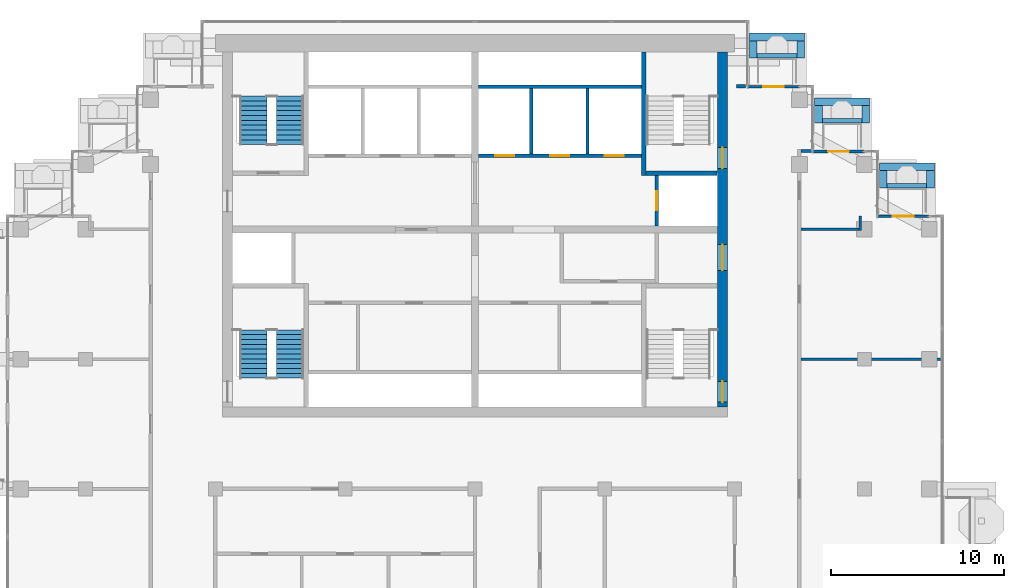
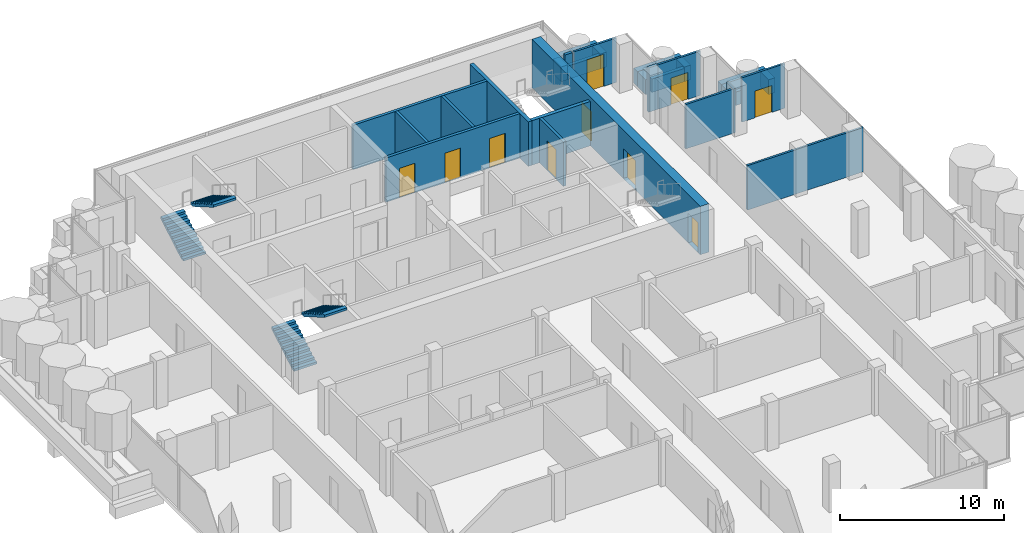
# One storey, part 14 of 18: 28 walls, 10 doors, 4 stair flights, 10 openings, 2 elements without a shape of their own.
"""IFC4 building model written with IfcOpenShell, lengths in metres."""

from ifc_helpers import new_model, si_unit, direction, frame, frame_2d, origin, place, context, subcontext, project, spatial, polyline, rectangle, outline, extrude, material, layer, layer_set, type_object, element, fill, aggregate, save


model = new_model("IFC4")

# Units and contexts
model_context = context("Model", 3, precision=1e-05, world=origin(), true_north=direction((0.0, 1.0)))
body_context = subcontext(model_context, "Body", "Model", "MODEL_VIEW")
ifc_project = project(units=[si_unit("LENGTHUNIT", "METRE"), si_unit("AREAUNIT", "SQUARE_METRE"), si_unit("VOLUMEUNIT", "CUBIC_METRE"), si_unit("PLANEANGLEUNIT", "RADIAN"), si_unit("MASSUNIT", "GRAM", prefix="KILO")], contexts=[model_context])

# Site, building, storey
site_placement = place(None, origin())
site = spatial("IfcSite", under=ifc_project, at=site_placement, CompositionType="ELEMENT")
building_placement = place(site_placement, origin())
building = spatial("IfcBuilding", under=site, at=building_placement, Name="Pilkhan Gate Tower", CompositionType="ELEMENT")
storey_placement = place(building_placement, frame((0.0, 0.0, 235.5)))
storey = spatial("IfcBuildingStorey", under=building, at=storey_placement, Name="L61", CompositionType="ELEMENT", Elevation=235.5)

# Walls
ifc_material_1 = material(Name="Concrete C40/50", Category="concrete")
ifc_layer_1 = layer(ifc_material_1, 0.25)
ifc_layer_set_1 = layer_set([ifc_layer_1], Name="Balcony planter BP250")
wall_type_1 = type_object("IfcWallType", Name="Balcony planter BP250", PredefinedType="USERDEFINED", material=ifc_layer_set_1)
wall_1_placement = place(storey_placement, frame((91.300048828125, 92.52490234375, 0.0), z_axis=(0.0, 0.0, 1.0), x_axis=(1.0, 0.0, 0.0)))
element("IfcWall", 1, at=wall_1_placement, inside=storey, type_object=wall_type_1, Name="Balcony planter L61 N", ObjectType="BALCONY PLANTER", PredefinedType="USERDEFINED", context=body_context, shape_type="SweptSolid", body=[
    extrude(rectangle(XDim=2.300048828125, YDim=0.25, at=frame_2d((1.14990234375, 0.0))), origin(), (0.0, 0.0, 1.0), 1.0),
])
for number, where, z_axis, x_axis, name in (
    (2, (95.070068359375, 88.77490234375, 0.0), (0.0, 0.0, 1.0), (1.0, 0.0, 0.0), "Balcony planter L61 N"),
    (3, (98.820068359375, 85.02490234375, 0.0), (0.0, 0.0, 1.0), (1.0, 0.0, 0.0), "Balcony planter L61 N"),
):
    element("IfcWall", number, at=place(storey_placement, frame(where, z_axis=z_axis, x_axis=x_axis)), inside=storey, type_object=wall_type_1, Name=name, ObjectType="BALCONY PLANTER", PredefinedType="USERDEFINED", context=body_context, shape_type="SweptSolid", body=[
        extrude(rectangle(XDim=2.280029296875, YDim=0.25, at=frame_2d((1.14013671875, 0.0))), origin(), (0.0, 0.0, 1.0), 1.0),
    ])
ifc_material_2 = material(Name="Board-marked Concrete C40/50", Category="concrete")
ifc_layer_2 = layer(ifc_material_2, 0.449951171875)
ifc_layer_set_2 = layer_set([ifc_layer_2], Name="Balcony planter lip BL450")
wall_type_2 = type_object("IfcWallType", Name="Balcony planter lip BL450", PredefinedType="USERDEFINED", material=ifc_layer_set_2)
wall_2_placement = place(storey_placement, frame((90.85009765625, 93.625, 0.0), z_axis=(0.0, 0.0, 1.0), x_axis=(1.0, 0.0, 0.0)))
element("IfcWall", 4, at=wall_2_placement, inside=storey, type_object=wall_type_2, Name="Balcony planter L61 N", ObjectType="BALCONY PLANTER", PredefinedType="USERDEFINED", context=body_context, shape_type="SweptSolid", body=[
    extrude(rectangle(XDim=3.199951171875, YDim=0.449951171875, at=frame_2d((1.60009765625, 0.0))), origin(), (0.0, 0.0, 1.0), 1.10009765625),
])
for number, where, z_axis, x_axis, name in (
    (5, (91.074951171875, 92.39990234375, 0.0), (0.0, 0.0, 1.0), (0.0, 1.0, 0.0), "Balcony planter L61 N"),
    (6, (93.824951171875, 92.39990234375, 0.0), (0.0, 0.0, 1.0), (0.0, 1.0, 0.0), "Balcony planter L61 N"),
):
    element("IfcWall", number, at=place(storey_placement, frame(where, z_axis=z_axis, x_axis=x_axis)), inside=storey, type_object=wall_type_2, Name=name, ObjectType="BALCONY PLANTER", PredefinedType="USERDEFINED", context=body_context, shape_type="SweptSolid", body=[
        extrude(rectangle(XDim=1.0, YDim=0.449951171875, at=frame_2d((0.5, 0.0))), origin(), (0.0, 0.0, 1.0), 1.10009765625),
    ])
wall_3_placement = place(storey_placement, frame((94.6201171875, 89.875, 0.0), z_axis=(0.0, 0.0, 1.0), x_axis=(1.0, 0.0, 0.0)))
element("IfcWall", 7, at=wall_3_placement, inside=storey, type_object=wall_type_2, Name="Balcony planter L61 N", ObjectType="BALCONY PLANTER", PredefinedType="USERDEFINED", context=body_context, shape_type="SweptSolid", body=[
    extrude(rectangle(XDim=3.179931640625, YDim=0.449951171875, at=frame_2d((1.58984375, 0.0))), origin(), (0.0, 0.0, 1.0), 1.10009765625),
])
for number, where, z_axis, x_axis, name in (
    (8, (94.844970703125, 88.64990234375, 0.0), (0.0, 0.0, 1.0), (0.0, 1.0, 0.0), "Balcony planter L61 N"),
    (9, (97.574951171875, 88.64990234375, 0.0), (0.0, 0.0, 1.0), (0.0, 1.0, 0.0), "Balcony planter L61 N"),
):
    element("IfcWall", number, at=place(storey_placement, frame(where, z_axis=z_axis, x_axis=x_axis)), inside=storey, type_object=wall_type_2, Name=name, ObjectType="BALCONY PLANTER", PredefinedType="USERDEFINED", context=body_context, shape_type="SweptSolid", body=[
        extrude(rectangle(XDim=1.0, YDim=0.449951171875, at=frame_2d((0.5, 0.0))), origin(), (0.0, 0.0, 1.0), 1.10009765625),
    ])
wall_4_placement = place(storey_placement, frame((98.3701171875, 86.125, 0.0), z_axis=(0.0, 0.0, 1.0), x_axis=(1.0, 0.0, 0.0)))
element("IfcWall", 10, at=wall_4_placement, inside=storey, type_object=wall_type_2, Name="Balcony planter L61 N", ObjectType="BALCONY PLANTER", PredefinedType="USERDEFINED", context=body_context, shape_type="SweptSolid", body=[
    extrude(rectangle(XDim=3.179931640625, YDim=0.449951171875, at=frame_2d((1.58984375, 0.0))), origin(), (0.0, 0.0, 1.0), 1.10009765625),
])
for number, where, z_axis, x_axis, name in (
    (11, (98.594970703125, 84.89990234375, 0.0), (0.0, 0.0, 1.0), (0.0, 1.0, 0.0), "Balcony planter L61 N"),
    (12, (101.324951171875, 84.89990234375, 0.0), (0.0, 0.0, 1.0), (0.0, 1.0, 0.0), "Balcony planter L61 N"),
):
    element("IfcWall", number, at=place(storey_placement, frame(where, z_axis=z_axis, x_axis=x_axis)), inside=storey, type_object=wall_type_2, Name=name, ObjectType="BALCONY PLANTER", PredefinedType="USERDEFINED", context=body_context, shape_type="SweptSolid", body=[
        extrude(rectangle(XDim=1.0, YDim=0.449951171875, at=frame_2d((0.5, 0.0))), origin(), (0.0, 0.0, 1.0), 1.10009765625),
    ])

# Wall, openings, doors
ifc_material_3 = material(Name="Concrete C50/60", Category="concrete")
ifc_layer_3 = layer(ifc_material_3, 0.60009765625)
ifc_layer_set_3 = layer_set([ifc_layer_3], Name="Core wall CW600 C50/60")
wall_type_3 = type_object("IfcWallType", Name="Core wall CW600 C50/60", PredefinedType="SHEAR", material=ifc_layer_set_3)
wall_5_placement = place(storey_placement, frame((89.300048828125, 72.25, 0.0), z_axis=(0.0, 0.0, 1.0), x_axis=(0.0, 1.0, 0.0)))
wall_5 = element("IfcWall", 13, at=wall_5_placement, inside=storey, type_object=wall_type_3, Name="Core wall E L61", PredefinedType="SHEAR", context=body_context, shape_type="SweptSolid", body=[
    extrude(rectangle(XDim=20.5, YDim=0.60009765625, at=frame_2d((10.25, 0.0))), origin(), (0.0, 0.0, 1.0), 3.60009765625),
])
opening_1_placement = place(wall_5_placement, frame((0.27490234375, 0.0, 0.0)))
opening_1 = element("IfcOpeningElement", 14, at=opening_1_placement, cuts=wall_5, Name="Opening L61-03", PredefinedType="OPENING", context=body_context, shape_type="SweptSolid", body=[
    extrude(rectangle(XDim=1.199951171875, YDim=2.199951171875, at=frame_2d((0.60009765625, 1.10009765625))), frame((0.0, 0.31005859375, 0.0), z_axis=(0.0, -1.0, 0.0), x_axis=(1.0, 0.0, 0.0)), (0.0, 0.0, 1.0), 0.6201171875),
])
opening_2_placement = place(wall_5_placement, frame((13.77490234375, 0.0, 0.0)))
opening_2 = element("IfcOpeningElement", 15, at=opening_2_placement, cuts=wall_5, Name="Opening L61-05", PredefinedType="OPENING", context=body_context, shape_type="SweptSolid", body=[
    extrude(rectangle(XDim=1.199951171875, YDim=2.199951171875, at=frame_2d((0.60009765625, 1.10009765625))), frame((0.0, 0.31005859375, 0.0), z_axis=(0.0, -1.0, 0.0), x_axis=(1.0, 0.0, 0.0)), (0.0, 0.0, 1.0), 0.6201171875),
])
opening_3_placement = place(wall_5_placement, frame((7.875, 0.0, 0.0)))
opening_3 = element("IfcOpeningElement", 16, at=opening_3_placement, cuts=wall_5, Name="Opening L61-06", PredefinedType="OPENING", context=body_context, shape_type="SweptSolid", body=[
    extrude(rectangle(XDim=1.5, YDim=2.199951171875, at=frame_2d((0.75, 1.10009765625))), frame((0.0, 0.31005859375, 0.0), z_axis=(0.0, -1.0, 0.0), x_axis=(1.0, 0.0, 0.0)), (0.0, 0.0, 1.0), 0.6201171875),
])
ifc_material_4 = material(Name="Steel framed glazed door, 60 minute fire resisting", Category="steel")
door_type_1 = type_object("IfcDoorType", Name="Lobby door D09 1500x2200", OperationType="DOUBLE_DOOR_SINGLE_SWING", PredefinedType="DOOR", material=ifc_material_4)
door_1_placement = place(opening_3_placement, origin())
door_1 = element("IfcDoor", 17, at=door_1_placement, inside=storey, type_object=door_type_1, Name="Core door", OperationType="DOUBLE_DOOR_SINGLE_SWING", OverallHeight=2.199951171875, OverallWidth=1.5, PredefinedType="DOOR", context=body_context, shape_type="SweptSolid", body=[
    extrude(rectangle(XDim=1.5, YDim=2.199951171875, at=frame_2d((0.75, 1.10009765625))), frame((0.0, 0.02490234375, 0.0), z_axis=(0.0, -1.0, 0.0), x_axis=(1.0, 0.0, 0.0)), (0.0, 0.0, 1.0), 0.050048828125),
])
fill(opening_3, door_1)
ifc_material_5 = material(Name="Steel door, 120 minute fire resisting, panic bar", Category="steel")
door_type_2 = type_object("IfcDoorType", Name="Stair door D11 1200x2200", OperationType="SINGLE_SWING_LEFT", PredefinedType="DOOR", material=ifc_material_5)
door_2_placement = place(opening_1_placement, origin())
door_2 = element("IfcDoor", 18, at=door_2_placement, inside=storey, type_object=door_type_2, Name="Stair ST1 door", OperationType="SINGLE_SWING_LEFT", OverallHeight=2.199951171875, OverallWidth=1.199951171875, PredefinedType="DOOR", context=body_context, shape_type="SweptSolid", body=[
    extrude(rectangle(XDim=1.199951171875, YDim=2.199951171875, at=frame_2d((0.60009765625, 1.10009765625))), frame((0.0, 0.02490234375, 0.0), z_axis=(0.0, -1.0, 0.0), x_axis=(1.0, 0.0, 0.0)), (0.0, 0.0, 1.0), 0.050048828125),
])
fill(opening_1, door_2)
door_3_placement = place(opening_2_placement, origin())
door_3 = element("IfcDoor", 19, at=door_3_placement, inside=storey, type_object=door_type_2, Name="Stair ST4 door", OperationType="SINGLE_SWING_LEFT", OverallHeight=2.199951171875, OverallWidth=1.199951171875, PredefinedType="DOOR", context=body_context, shape_type="SweptSolid", body=[
    extrude(rectangle(XDim=1.199951171875, YDim=2.199951171875, at=frame_2d((0.60009765625, 1.10009765625))), frame((0.0, 0.02490234375, 0.0), z_axis=(0.0, -1.0, 0.0), x_axis=(1.0, 0.0, 0.0)), (0.0, 0.0, 1.0), 0.050048828125),
])
fill(opening_2, door_3)

# Walls
ifc_material_6 = material(Name="Dense blockwork", Category="masonry")
ifc_layer_4 = layer(ifc_material_6, 0.199951171875)
ifc_layer_set_4 = layer_set([ifc_layer_4], Name="Corridor wall FW200")
wall_type_4 = type_object("IfcWallType", Name="Corridor wall FW200", PredefinedType="PARTITIONING", material=ifc_layer_set_4)
wall_6_placement = place(storey_placement, frame((93.85009765625, 87.030029296875, 0.0), z_axis=(0.0, 0.0, 1.0), x_axis=(1.0, 0.0, 0.0)))
element("IfcWall", 20, at=wall_6_placement, inside=storey, type_object=wall_type_4, Name="Partition L61", PredefinedType="PARTITIONING", context=body_context, shape_type="SweptSolid", body=[
    extrude(rectangle(XDim=0.639892578125, YDim=0.199951171875, at=frame_2d((0.31982421875, 0.0))), origin(), (0.0, 0.0, 1.0), 3.300048828125),
])
wall_7_placement = place(storey_placement, frame((90.1201171875, 90.764892578125, 0.0), z_axis=(0.0, 0.0, 1.0), x_axis=(1.0, 0.0, 0.0)))
element("IfcWall", 21, at=wall_7_placement, inside=storey, type_object=wall_type_4, Name="Partition L61", PredefinedType="PARTITIONING", context=body_context, shape_type="SweptSolid", body=[
    extrude(rectangle(XDim=0.52490234375, YDim=0.199951171875, at=frame_2d((0.262451171875, 0.0))), origin(), (0.0, 0.0, 1.0), 3.300048828125),
])

# Wall, opening, door
ifc_material_7 = material(Name="Pale anodised aluminium, clear laminated glazing", Category="aluminium")
ifc_layer_5 = layer(ifc_material_7, 0.14990234375)
ifc_layer_set_5 = layer_set([ifc_layer_5], Name="Facade infill wall IW150")
wall_type_5 = type_object("IfcWallType", Name="Facade infill wall IW150", PredefinedType="SOLIDWALL", material=ifc_layer_set_5)
wall_8_placement = place(storey_placement, frame((98.25, 83.25, 0.0), z_axis=(0.0, 0.0, 1.0), x_axis=(1.0, 0.0, 0.0)))
wall_8 = element("IfcWall", 22, at=wall_8_placement, inside=storey, type_object=wall_type_5, Name="Infill wall L61 N", PredefinedType="SOLIDWALL", context=body_context, shape_type="SweptSolid", body=[
    extrude(rectangle(XDim=3.0, YDim=0.14990234375, at=frame_2d((1.5, 0.0))), origin(), (0.0, 0.0, 1.0), 3.300048828125),
])
opening_4_placement = place(wall_8_placement, frame((0.89990234375, 0.0, 0.0)))
opening_4 = element("IfcOpeningElement", 23, at=opening_4_placement, cuts=wall_8, Name="Opening D1L", PredefinedType="OPENING", context=body_context, shape_type="SweptSolid", body=[
    extrude(rectangle(XDim=1.199951171875, YDim=2.0, at=frame_2d((0.60009765625, 1.0))), frame((0.0, 0.0849609375, 0.0), z_axis=(0.0, -1.0, 0.0), x_axis=(1.0, 0.0, 0.0)), (0.0, 0.0, 1.0), 0.169921875),
])
ifc_material_8 = material(Name="Pale anodised aluminium, clear glazing", Category="aluminium")
door_type_3 = type_object("IfcDoorType", Name="Balcony door D1L 1200x2000", OperationType="SINGLE_SWING_LEFT", PredefinedType="DOOR", material=ifc_material_8)
door_4_placement = place(opening_4_placement, origin())
door_4 = element("IfcDoor", 24, at=door_4_placement, inside=storey, type_object=door_type_3, Name="Balcony door L61", OperationType="SINGLE_SWING_LEFT", OverallHeight=2.0, OverallWidth=1.199951171875, PredefinedType="DOOR", context=body_context, shape_type="SweptSolid", body=[
    extrude(rectangle(XDim=1.199951171875, YDim=2.0, at=frame_2d((0.60009765625, 1.0))), frame((0.0, 0.02490234375, 0.0), z_axis=(0.0, -1.0, 0.0), x_axis=(1.0, 0.0, 0.0)), (0.0, 0.0, 1.0), 0.050048828125),
])
fill(opening_4, door_4)

wall_9_placement = place(storey_placement, frame((94.5, 87.0, 0.0), z_axis=(0.0, 0.0, 1.0), x_axis=(1.0, 0.0, 0.0)))
wall_9 = element("IfcWall", 25, at=wall_9_placement, inside=storey, type_object=wall_type_5, Name="Infill wall L61 N", PredefinedType="SOLIDWALL", context=body_context, shape_type="SweptSolid", body=[
    extrude(rectangle(XDim=3.0, YDim=0.14990234375, at=frame_2d((1.5, 0.0))), origin(), (0.0, 0.0, 1.0), 3.300048828125),
])
opening_5_placement = place(wall_9_placement, frame((0.89990234375, 0.0, 0.0)))
opening_5 = element("IfcOpeningElement", 26, at=opening_5_placement, cuts=wall_9, Name="Opening D1L", PredefinedType="OPENING", context=body_context, shape_type="SweptSolid", body=[
    extrude(rectangle(XDim=1.199951171875, YDim=2.0, at=frame_2d((0.60009765625, 1.0))), frame((0.0, 0.0849609375, 0.0), z_axis=(0.0, -1.0, 0.0), x_axis=(1.0, 0.0, 0.0)), (0.0, 0.0, 1.0), 0.169921875),
])
door_5_placement = place(opening_5_placement, origin())
door_5 = element("IfcDoor", 27, at=door_5_placement, inside=storey, type_object=door_type_3, Name="Balcony door L61", OperationType="SINGLE_SWING_LEFT", OverallHeight=2.0, OverallWidth=1.199951171875, PredefinedType="DOOR", context=body_context, shape_type="SweptSolid", body=[
    extrude(rectangle(XDim=1.199951171875, YDim=2.0, at=frame_2d((0.60009765625, 1.0))), frame((0.0, 0.02490234375, 0.0), z_axis=(0.0, -1.0, 0.0), x_axis=(1.0, 0.0, 0.0)), (0.0, 0.0, 1.0), 0.050048828125),
])
fill(opening_5, door_5)

wall_10_placement = place(storey_placement, frame((90.75, 90.75, 0.0), z_axis=(0.0, 0.0, 1.0), x_axis=(1.0, 0.0, 0.0)))
wall_10 = element("IfcWall", 28, at=wall_10_placement, inside=storey, type_object=wall_type_5, Name="Infill wall L61 N", PredefinedType="SOLIDWALL", context=body_context, shape_type="SweptSolid", body=[
    extrude(rectangle(XDim=3.0, YDim=0.14990234375, at=frame_2d((1.5, 0.0))), origin(), (0.0, 0.0, 1.0), 3.300048828125),
])
opening_6_placement = place(wall_10_placement, frame((0.89990234375, 0.0, 0.0)))
opening_6 = element("IfcOpeningElement", 29, at=opening_6_placement, cuts=wall_10, Name="Opening D1", PredefinedType="OPENING", context=body_context, shape_type="SweptSolid", body=[
    extrude(rectangle(XDim=1.199951171875, YDim=2.39990234375, at=frame_2d((0.60009765625, 1.199951171875))), frame((0.0, 0.0849609375, 0.0), z_axis=(0.0, -1.0, 0.0), x_axis=(1.0, 0.0, 0.0)), (0.0, 0.0, 1.0), 0.169921875),
])
door_type_4 = type_object("IfcDoorType", Name="Balcony door D1 1200x2400", OperationType="SINGLE_SWING_LEFT", PredefinedType="DOOR", material=ifc_material_8)
door_6_placement = place(opening_6_placement, origin())
door_6 = element("IfcDoor", 30, at=door_6_placement, inside=storey, type_object=door_type_4, Name="Balcony door L61", OperationType="SINGLE_SWING_LEFT", OverallHeight=2.39990234375, OverallWidth=1.199951171875, PredefinedType="DOOR", context=body_context, shape_type="SweptSolid", body=[
    extrude(rectangle(XDim=1.199951171875, YDim=2.39990234375, at=frame_2d((0.60009765625, 1.199951171875))), frame((0.0, 0.02490234375, 0.0), z_axis=(0.0, -1.0, 0.0), x_axis=(1.0, 0.0, 0.0)), (0.0, 0.0, 1.0), 0.050048828125),
])
fill(opening_6, door_6)

# Walls
ifc_material_9 = material(Name="Blockwork partition, plastered both sides", Category="masonry")
ifc_layer_6 = layer(ifc_material_9, 0.14990234375)
ifc_layer_set_6 = layer_set([ifc_layer_6], Name="Partition PW150")
wall_type_6 = type_object("IfcWallType", Name="Partition PW150", PredefinedType="PARTITIONING", material=ifc_layer_set_6)
wall_11_placement = place(storey_placement, frame((93.85009765625, 75.0, 0.0), z_axis=(0.0, 0.0, 1.0), x_axis=(1.0, 0.0, 0.0)))
element("IfcWall", 31, at=wall_11_placement, inside=storey, type_object=wall_type_6, Name="Partition L61", PredefinedType="PARTITIONING", context=body_context, shape_type="SweptSolid", body=[
    extrude(rectangle(XDim=8.164794921875, YDim=0.14990234375, at=frame_2d((4.08251953125, 0.0))), origin(), (0.0, 0.0, 1.0), 3.300048828125),
])
wall_12_placement = place(storey_placement, frame((93.85009765625, 82.5, 0.0), z_axis=(0.0, 0.0, 1.0), x_axis=(1.0, 0.0, 0.0)))
element("IfcWall", 32, at=wall_12_placement, inside=storey, type_object=wall_type_6, Name="Partition L61", PredefinedType="PARTITIONING", context=body_context, shape_type="SweptSolid", body=[
    extrude(rectangle(XDim=3.33984375, YDim=0.14990234375, at=frame_2d((1.669921875, 0.0))), origin(), (0.0, 0.0, 1.0), 3.300048828125),
])
wall_13_placement = place(storey_placement, frame((97.264892578125, 82.425048828125, 0.0), z_axis=(0.0, 0.0, 1.0), x_axis=(0.0, 1.0, 0.0)))
element("IfcWall", 33, at=wall_13_placement, inside=storey, type_object=wall_type_6, Name="Partition L61", PredefinedType="PARTITIONING", context=body_context, shape_type="SweptSolid", body=[
    extrude(rectangle(XDim=0.83984375, YDim=0.14990234375, at=frame_2d((0.419921875, 0.0))), origin(), (0.0, 0.0, 1.0), 3.300048828125),
])

# Wall, openings, doors
ifc_material_10 = material(Name="Reinforced blockwork shaft wall, 120 minute fire resisting", Category="masonry")
ifc_layer_7 = layer(ifc_material_10, 0.199951171875)
ifc_layer_set_7 = layer_set([ifc_layer_7], Name="Shaft wall SW200")
wall_type_7 = type_object("IfcWallType", Name="Shaft wall SW200", PredefinedType="PARTITIONING", material=ifc_layer_set_7)
wall_14_placement = place(storey_placement, frame((75.2099609375, 86.75, 0.0), z_axis=(0.0, 0.0, 1.0), x_axis=(1.0, 0.0, 0.0)))
wall_14 = element("IfcWall", 34, at=wall_14_placement, inside=storey, type_object=wall_type_7, Name="Partition L61", PredefinedType="PARTITIONING", context=body_context, shape_type="SweptSolid", body=[
    extrude(rectangle(XDim=9.4150390625, YDim=0.199951171875, at=frame_2d((4.70751953125, 0.0))), origin(), (0.0, 0.0, 1.0), 3.300048828125),
])
opening_7_placement = place(wall_14_placement, frame((0.949951171875, 0.0, 0.0)))
opening_7 = element("IfcOpeningElement", 35, at=opening_7_placement, cuts=wall_14, Name="Opening LD", PredefinedType="OPENING", context=body_context, shape_type="SweptSolid", body=[
    extrude(rectangle(XDim=1.10009765625, YDim=2.199951171875, at=frame_2d((0.550048828125, 1.10009765625))), frame((0.0, 0.10986328125, 0.0), z_axis=(0.0, -1.0, 0.0), x_axis=(1.0, 0.0, 0.0)), (0.0, 0.0, 1.0), 0.219970703125),
])
opening_8_placement = place(wall_14_placement, frame((4.139892578125, 0.0, 0.0)))
opening_8 = element("IfcOpeningElement", 36, at=opening_8_placement, cuts=wall_14, Name="Opening LD", PredefinedType="OPENING", context=body_context, shape_type="SweptSolid", body=[
    extrude(rectangle(XDim=1.10009765625, YDim=2.199951171875, at=frame_2d((0.550048828125, 1.10009765625))), frame((0.0, 0.10986328125, 0.0), z_axis=(0.0, -1.0, 0.0), x_axis=(1.0, 0.0, 0.0)), (0.0, 0.0, 1.0), 0.219970703125),
])
opening_9_placement = place(wall_14_placement, frame((7.2900390625, 0.0, 0.0)))
opening_9 = element("IfcOpeningElement", 37, at=opening_9_placement, cuts=wall_14, Name="Opening LD", PredefinedType="OPENING", context=body_context, shape_type="SweptSolid", body=[
    extrude(rectangle(XDim=1.10009765625, YDim=2.199951171875, at=frame_2d((0.550048828125, 1.10009765625))), frame((0.0, 0.10986328125, 0.0), z_axis=(0.0, -1.0, 0.0), x_axis=(1.0, 0.0, 0.0)), (0.0, 0.0, 1.0), 0.219970703125),
])
ifc_material_11 = material(Name="Stainless steel centre-opening landing door, 120 minute fire resisting", Category="steel")
door_type_5 = type_object("IfcDoorType", Name="Lift landing door LD 1100x2200", OperationType="DOUBLE_DOOR_SLIDING", PredefinedType="DOOR", material=ifc_material_11)
door_7_placement = place(opening_7_placement, origin())
door_7 = element("IfcDoor", 38, at=door_7_placement, inside=storey, type_object=door_type_5, Name="Landing door HR1", OperationType="DOUBLE_DOOR_SLIDING", OverallHeight=2.199951171875, OverallWidth=1.10009765625, PredefinedType="DOOR", context=body_context, shape_type="SweptSolid", body=[
    extrude(rectangle(XDim=1.10009765625, YDim=2.199951171875, at=frame_2d((0.550048828125, 1.10009765625))), frame((0.0, 0.02490234375, 0.0), z_axis=(0.0, -1.0, 0.0), x_axis=(1.0, 0.0, 0.0)), (0.0, 0.0, 1.0), 0.050048828125),
])
fill(opening_7, door_7)
door_8_placement = place(opening_8_placement, origin())
door_8 = element("IfcDoor", 39, at=door_8_placement, inside=storey, type_object=door_type_5, Name="Landing door HR2", OperationType="DOUBLE_DOOR_SLIDING", OverallHeight=2.199951171875, OverallWidth=1.10009765625, PredefinedType="DOOR", context=body_context, shape_type="SweptSolid", body=[
    extrude(rectangle(XDim=1.10009765625, YDim=2.199951171875, at=frame_2d((0.550048828125, 1.10009765625))), frame((0.0, 0.02490234375, 0.0), z_axis=(0.0, -1.0, 0.0), x_axis=(1.0, 0.0, 0.0)), (0.0, 0.0, 1.0), 0.050048828125),
])
fill(opening_8, door_8)
door_9_placement = place(opening_9_placement, origin())
door_9 = element("IfcDoor", 40, at=door_9_placement, inside=storey, type_object=door_type_5, Name="Landing door HR3", OperationType="DOUBLE_DOOR_SLIDING", OverallHeight=2.199951171875, OverallWidth=1.10009765625, PredefinedType="DOOR", context=body_context, shape_type="SweptSolid", body=[
    extrude(rectangle(XDim=1.10009765625, YDim=2.199951171875, at=frame_2d((0.550048828125, 1.10009765625))), frame((0.0, 0.02490234375, 0.0), z_axis=(0.0, -1.0, 0.0), x_axis=(1.0, 0.0, 0.0)), (0.0, 0.0, 1.0), 0.050048828125),
])
fill(opening_9, door_9)

# Walls
wall_15_placement = place(storey_placement, frame((75.2099609375, 90.75, 0.0), z_axis=(0.0, 0.0, 1.0), x_axis=(1.0, 0.0, 0.0)))
element("IfcWall", 41, at=wall_15_placement, inside=storey, type_object=wall_type_7, Name="Partition L61", PredefinedType="PARTITIONING", context=body_context, shape_type="SweptSolid", body=[
    extrude(rectangle(XDim=9.4150390625, YDim=0.199951171875, at=frame_2d((4.70751953125, 0.0))), origin(), (0.0, 0.0, 1.0), 3.300048828125),
])
for number, where, z_axis, x_axis, name in (
    (42, (78.25, 86.85009765625, 0.0), (0.0, 0.0, 1.0), (0.0, 1.0, 0.0), "Partition L61"),
    (43, (81.5, 86.85009765625, 0.0), (0.0, 0.0, 1.0), (0.0, 1.0, 0.0), "Partition L61"),
):
    element("IfcWall", number, at=place(storey_placement, frame(where, z_axis=z_axis, x_axis=x_axis)), inside=storey, type_object=wall_type_7, Name=name, PredefinedType="PARTITIONING", context=body_context, shape_type="SweptSolid", body=[
        extrude(rectangle(XDim=3.7998046875, YDim=0.199951171875, at=frame_2d((1.89990234375, 0.0))), origin(), (0.0, 0.0, 1.0), 3.300048828125),
    ])

# Wall, opening, door
wall_16_placement = place(storey_placement, frame((85.5, 82.7099609375, 0.0), z_axis=(0.0, 0.0, 1.0), x_axis=(0.0, 1.0, 0.0)))
wall_16 = element("IfcWall", 44, at=wall_16_placement, inside=storey, type_object=wall_type_7, Name="Partition L61", PredefinedType="PARTITIONING", context=body_context, shape_type="SweptSolid", body=[
    extrude(rectangle(XDim=2.9150390625, YDim=0.199951171875, at=frame_2d((1.45751953125, 0.0))), origin(), (0.0, 0.0, 1.0), 3.300048828125),
])
opening_10_placement = place(wall_16_placement, frame((0.89990234375, 0.0, 0.0)))
opening_10 = element("IfcOpeningElement", 45, at=opening_10_placement, cuts=wall_16, Name="Opening LD", PredefinedType="OPENING", context=body_context, shape_type="SweptSolid", body=[
    extrude(rectangle(XDim=1.10009765625, YDim=2.199951171875, at=frame_2d((0.550048828125, 1.10009765625))), frame((0.0, 0.10986328125, 0.0), z_axis=(0.0, -1.0, 0.0), x_axis=(1.0, 0.0, 0.0)), (0.0, 0.0, 1.0), 0.219970703125),
])
door_10_placement = place(opening_10_placement, origin())
door_10 = element("IfcDoor", 46, at=door_10_placement, inside=storey, type_object=door_type_5, Name="Landing door HR4", OperationType="DOUBLE_DOOR_SLIDING", OverallHeight=2.199951171875, OverallWidth=1.10009765625, PredefinedType="DOOR", context=body_context, shape_type="SweptSolid", body=[
    extrude(rectangle(XDim=1.10009765625, YDim=2.199951171875, at=frame_2d((0.550048828125, 1.10009765625))), frame((0.0, 0.02490234375, 0.0), z_axis=(0.0, -1.0, 0.0), x_axis=(1.0, 0.0, 0.0)), (0.0, 0.0, 1.0), 0.050048828125),
])
fill(opening_10, door_10)

# Walls
ifc_material_12 = material(Name="Reinforced blockwork, 120 minute fire resisting", Category="masonry")
ifc_layer_8 = layer(ifc_material_12, 0.25)
ifc_layer_set_8 = layer_set([ifc_layer_8], Name="Stair enclosure wall SE250")
wall_type_8 = type_object("IfcWallType", Name="Stair enclosure wall SE250", PredefinedType="PARTITIONING", material=ifc_layer_set_8)
wall_17_placement = place(storey_placement, frame((84.875, 85.75, 0.0), z_axis=(0.0, 0.0, 1.0), x_axis=(1.0, 0.0, 0.0)))
element("IfcWall", 47, at=wall_17_placement, inside=storey, type_object=wall_type_8, Name="Partition L61", PredefinedType="PARTITIONING", context=body_context, shape_type="SweptSolid", body=[
    extrude(rectangle(XDim=4.114990234375, YDim=0.25, at=frame_2d((2.0576171875, 0.0))), origin(), (0.0, 0.0, 1.0), 3.300048828125),
])
wall_18_placement = place(storey_placement, frame((84.75, 85.625, 0.0), z_axis=(0.0, 0.0, 1.0), x_axis=(0.0, 1.0, 0.0)))
element("IfcWall", 48, at=wall_18_placement, inside=storey, type_object=wall_type_8, Name="Partition L61", PredefinedType="PARTITIONING", context=body_context, shape_type="SweptSolid", body=[
    extrude(rectangle(XDim=7.114990234375, YDim=0.25, at=frame_2d((3.5576171875, 0.0))), origin(), (0.0, 0.0, 1.0), 3.300048828125),
])

# Stair, stair flights
ifc_material_13 = material(Name="Concrete C40/50 precast", Category="concrete")
stair_type_1 = type_object("IfcStairType", Name="Stair ST2 164x280", PredefinedType="HALF_TURN_STAIR", material=ifc_material_13)
stair_1_placement = place(storey_placement, origin())
stair_1 = element("IfcStair", 49, at=stair_1_placement, inside=storey, type_object=stair_type_1, Name="Stair ST2 L61", PredefinedType="HALF_TURN_STAIR")
stair_flight_type_1 = type_object("IfcStairFlightType", Name="Stair flight ST2 164x280x11", PredefinedType="STRAIGHT", material=ifc_material_13)
stair_flight_1_placement = place(storey_placement, frame((62.18994140625, 73.89990234375, 0.0), z_axis=(0.0, 0.0, 1.0), x_axis=(0.0, 1.0, 0.0)))
stair_flight_1 = element("IfcStairFlight", 50, at=stair_flight_1_placement, type_object=stair_flight_type_1, Name="ST2 flight 1", NumberOfRisers=11, NumberOfTreads=10, PredefinedType="STRAIGHT", RiserHeight=0.163636364, TreadLength=0.28, context=body_context, shape_type="SweptSolid", body=[
    extrude(outline(polyline([(0.0, 0.0), (0.0, 0.16357421875), (0.280029296875, 0.16357421875), (0.280029296875, 0.327392578125), (0.56005859375, 0.327392578125), (0.56005859375, 0.490966796875), (0.840087890625, 0.490966796875), (0.840087890625, 0.654541015625), (1.1201171875, 0.654541015625), (1.1201171875, 0.818115234375), (1.39990234375, 0.818115234375), (1.39990234375, 0.98193359375), (1.679931640625, 0.98193359375), (1.679931640625, 1.1455078125), (1.9599609375, 1.1455078125), (1.9599609375, 1.30908203125), (2.239990234375, 1.30908203125), (2.239990234375, 1.47265625), (2.52001953125, 1.47265625), (2.52001953125, 1.636474609375), (2.800048828125, 1.636474609375), (2.800048828125, 1.800048828125), (2.800048828125, 1.462646484375), (0.297119140625, 0.0), (0.0, 0.0)])), frame((0.0, 0.7900390625, 0.0), z_axis=(0.0, -1.0, 0.0), x_axis=(1.0, 0.0, 0.0)), (0.0, 0.0, 1.0), 1.580078125),
])
stair_flight_2_placement = place(storey_placement, frame((64.31005859375, 76.699951171875, 1.800048828125), z_axis=(0.0, 0.0, 1.0), x_axis=(0.0, -1.0, 0.0)))
stair_flight_2 = element("IfcStairFlight", 51, at=stair_flight_2_placement, type_object=stair_flight_type_1, Name="ST2 flight 2", NumberOfRisers=11, NumberOfTreads=10, PredefinedType="STRAIGHT", RiserHeight=0.163636364, TreadLength=0.28, context=body_context, shape_type="SweptSolid", body=[
    extrude(outline(polyline([(0.0, 0.0), (0.0, 0.16357421875), (0.280029296875, 0.16357421875), (0.280029296875, 0.327392578125), (0.56005859375, 0.327392578125), (0.56005859375, 0.490966796875), (0.840087890625, 0.490966796875), (0.840087890625, 0.654541015625), (1.1201171875, 0.654541015625), (1.1201171875, 0.818115234375), (1.39990234375, 0.818115234375), (1.39990234375, 0.98193359375), (1.679931640625, 0.98193359375), (1.679931640625, 1.1455078125), (1.9599609375, 1.1455078125), (1.9599609375, 1.30908203125), (2.239990234375, 1.30908203125), (2.239990234375, 1.47265625), (2.52001953125, 1.47265625), (2.52001953125, 1.636474609375), (2.800048828125, 1.636474609375), (2.800048828125, 1.800048828125), (2.800048828125, 1.462646484375), (0.297119140625, 0.0), (0.0, 0.0)])), frame((0.0, 0.7900390625, 0.0), z_axis=(0.0, -1.0, 0.0), x_axis=(1.0, 0.0, 0.0)), (0.0, 0.0, 1.0), 1.580078125),
])
aggregate(stair_1, [stair_flight_1, stair_flight_2])

stair_type_2 = type_object("IfcStairType", Name="Stair ST3 164x280", PredefinedType="HALF_TURN_STAIR", material=ifc_material_13)
stair_2_placement = place(storey_placement, origin())
stair_2 = element("IfcStair", 52, at=stair_2_placement, inside=storey, type_object=stair_type_2, Name="Stair ST3 L61", PredefinedType="HALF_TURN_STAIR")
stair_flight_type_2 = type_object("IfcStairFlightType", Name="Stair flight ST3 164x280x11", PredefinedType="STRAIGHT", material=ifc_material_13)
stair_flight_3_placement = place(storey_placement, frame((62.18994140625, 87.39990234375, 0.0), z_axis=(0.0, 0.0, 1.0), x_axis=(0.0, 1.0, 0.0)))
stair_flight_3 = element("IfcStairFlight", 53, at=stair_flight_3_placement, type_object=stair_flight_type_2, Name="ST3 flight 1", NumberOfRisers=11, NumberOfTreads=10, PredefinedType="STRAIGHT", RiserHeight=0.163636364, TreadLength=0.28, context=body_context, shape_type="SweptSolid", body=[
    extrude(outline(polyline([(0.0, 0.0), (0.0, 0.16357421875), (0.280029296875, 0.16357421875), (0.280029296875, 0.327392578125), (0.56005859375, 0.327392578125), (0.56005859375, 0.490966796875), (0.840087890625, 0.490966796875), (0.840087890625, 0.654541015625), (1.1201171875, 0.654541015625), (1.1201171875, 0.818115234375), (1.39990234375, 0.818115234375), (1.39990234375, 0.98193359375), (1.679931640625, 0.98193359375), (1.679931640625, 1.1455078125), (1.9599609375, 1.1455078125), (1.9599609375, 1.30908203125), (2.239990234375, 1.30908203125), (2.239990234375, 1.47265625), (2.52001953125, 1.47265625), (2.52001953125, 1.636474609375), (2.800048828125, 1.636474609375), (2.800048828125, 1.800048828125), (2.800048828125, 1.462646484375), (0.297119140625, 0.0), (0.0, 0.0)])), frame((0.0, 0.7900390625, 0.0), z_axis=(0.0, -1.0, 0.0), x_axis=(1.0, 0.0, 0.0)), (0.0, 0.0, 1.0), 1.580078125),
])
stair_flight_4_placement = place(storey_placement, frame((64.31005859375, 90.199951171875, 1.800048828125), z_axis=(0.0, 0.0, 1.0), x_axis=(0.0, -1.0, 0.0)))
stair_flight_4 = element("IfcStairFlight", 54, at=stair_flight_4_placement, type_object=stair_flight_type_2, Name="ST3 flight 2", NumberOfRisers=11, NumberOfTreads=10, PredefinedType="STRAIGHT", RiserHeight=0.163636364, TreadLength=0.28, context=body_context, shape_type="SweptSolid", body=[
    extrude(outline(polyline([(0.0, 0.0), (0.0, 0.16357421875), (0.280029296875, 0.16357421875), (0.280029296875, 0.327392578125), (0.56005859375, 0.327392578125), (0.56005859375, 0.490966796875), (0.840087890625, 0.490966796875), (0.840087890625, 0.654541015625), (1.1201171875, 0.654541015625), (1.1201171875, 0.818115234375), (1.39990234375, 0.818115234375), (1.39990234375, 0.98193359375), (1.679931640625, 0.98193359375), (1.679931640625, 1.1455078125), (1.9599609375, 1.1455078125), (1.9599609375, 1.30908203125), (2.239990234375, 1.30908203125), (2.239990234375, 1.47265625), (2.52001953125, 1.47265625), (2.52001953125, 1.636474609375), (2.800048828125, 1.636474609375), (2.800048828125, 1.800048828125), (2.800048828125, 1.462646484375), (0.297119140625, 0.0), (0.0, 0.0)])), frame((0.0, 0.7900390625, 0.0), z_axis=(0.0, -1.0, 0.0), x_axis=(1.0, 0.0, 0.0)), (0.0, 0.0, 1.0), 1.580078125),
])
aggregate(stair_2, [stair_flight_3, stair_flight_4])

save(model, "model.ifc")
